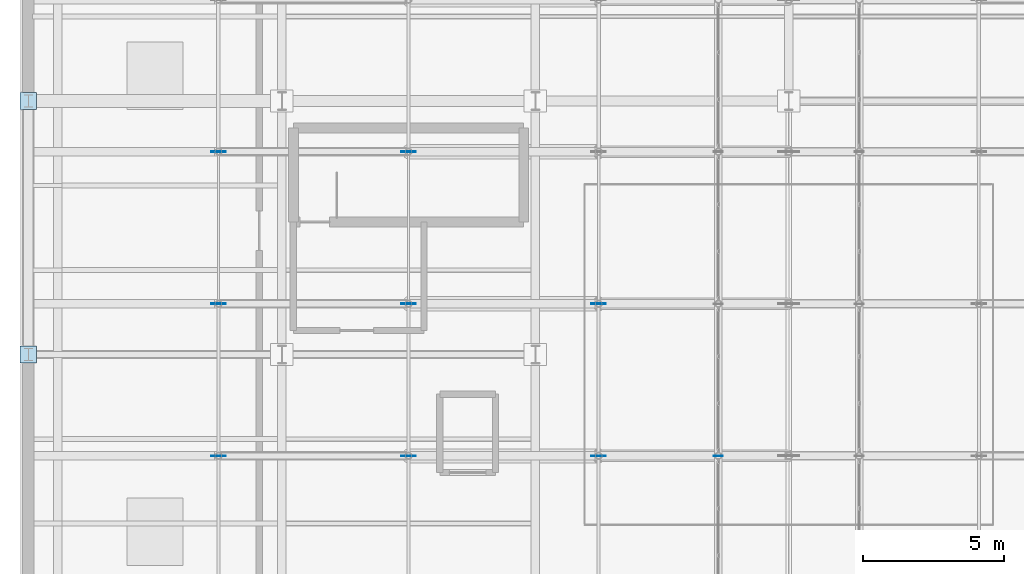
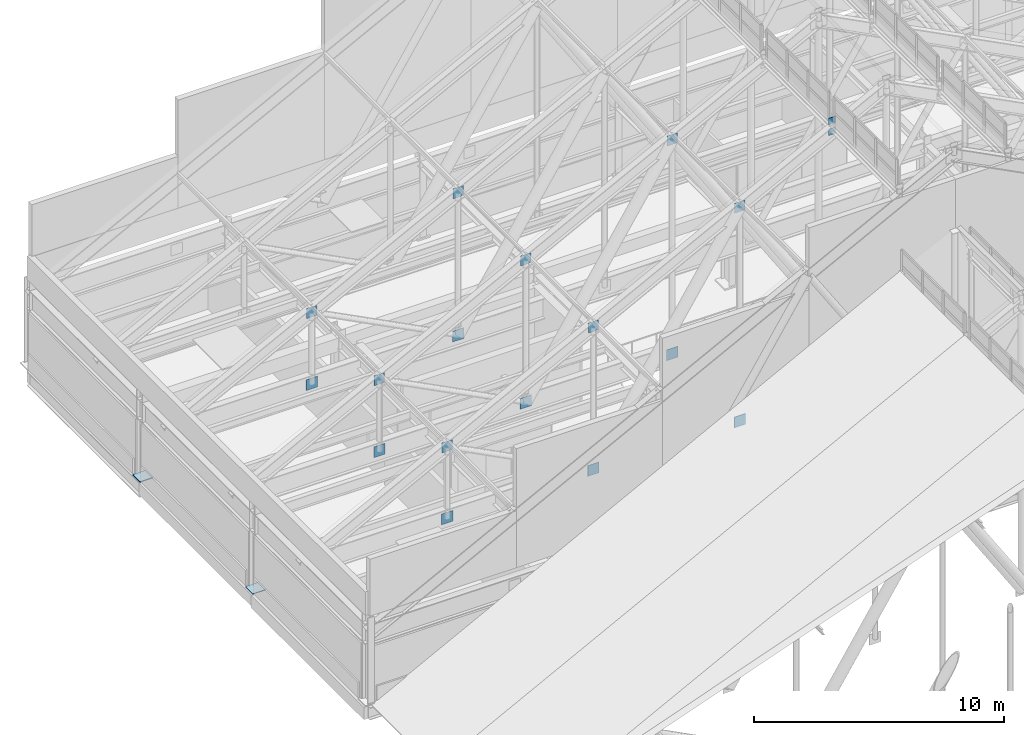
# One storey, part 77 of 84: 20 plates.
"""IFC4 building model written with IfcOpenShell, lengths in metres."""

import ifcopenshell
import ifcopenshell.guid

model = None  # the IFC model being written
_history = None  # IfcOwnerHistory: only IFC2X3 demands one
_inside = {}  # id of a spatial element -> (the spatial element, [elements in it])
_under = {}  # id of a project, library or spatial element -> (it, [spatial elements below it])
_declared = {}  # id of a project -> (the project, [libraries it declares])
_typed = {}  # id of a type object -> (the type object, [elements of that type])
_made_of = {}  # id of a material, layer set ... -> (it, [elements and type objects made of it])


def new_model(schema):
    """Start an empty IFC model of exactly this schema.

    Asked for "IFC4X3", IfcOpenShell would pick the latest addendum, in which some entities
    have other attributes; the version numbers below select the first issue.
    IFC2X3 requires an IfcOwnerHistory on every rooted entity: one is made here for all.
    """
    global model, _history
    if schema == "IFC4X3":
        model = ifcopenshell.file(schema_version=(4, 3, 0, 0))
    else:
        model = ifcopenshell.file(schema=schema)
    _inside.clear()
    _under.clear()
    _declared.clear()
    _typed.clear()
    _made_of.clear()
    _history = None
    if model.schema == "IFC2X3":
        org = make("IfcOrganization", Name="unknown")
        user = make(
            "IfcPersonAndOrganization",
            ThePerson=make("IfcPerson", FamilyName="unknown"),
            TheOrganization=org,
        )
        app = make(
            "IfcApplication",
            ApplicationDeveloper=org,
            Version="unknown",
            ApplicationFullName="unknown",
            ApplicationIdentifier="unknown",
        )
        _history = make(
            "IfcOwnerHistory",
            OwningUser=user,
            OwningApplication=app,
            ChangeAction="ADDED",
            CreationDate=0,
        )
    return model


def make(cls, **values):
    """One entity of the class cls with the attributes given. An attribute that is None is left unset."""
    return model.create_entity(
        cls, **{name: value for name, value in values.items() if value is not None}
    )


def rooted(cls, **values):
    """An entity with a GlobalId (a new one), such as an element, a storey or a relation."""
    return make(cls, GlobalId=ifcopenshell.guid.new(), OwnerHistory=_history, **values)


def si_unit(unit_type, name, prefix=None):
    """IfcSIUnit, for example si_unit("LENGTHUNIT", "METRE", prefix="MILLI")."""
    return make("IfcSIUnit", UnitType=unit_type, Prefix=prefix, Name=name)


def assignment(units):
    """IfcUnitAssignment: the units of a project."""
    return None if units is None else make("IfcUnitAssignment", Units=units)


def point(xyz):
    """IfcCartesianPoint."""
    return None if xyz is None else make("IfcCartesianPoint", Coordinates=xyz)


def direction(xyz):
    """IfcDirection."""
    return None if xyz is None else make("IfcDirection", DirectionRatios=xyz)


def frame(location, z_axis=None, x_axis=None):
    """IfcAxis2Placement3D, a coordinate frame: its origin and axes. An axis left out is left unset."""
    return make(
        "IfcAxis2Placement3D",
        Location=point(location),
        Axis=direction(z_axis),
        RefDirection=direction(x_axis),
    )


def frame_2d(location, x_axis=None):
    """IfcAxis2Placement2D, a coordinate frame in the plane: its origin and x axis."""
    return make(
        "IfcAxis2Placement2D", Location=point(location), RefDirection=direction(x_axis)
    )


def origin():
    """The frame at (0, 0, 0) with its axes left unset."""
    return frame((0.0, 0.0, 0.0))


def origin_2d():
    """The frame at (0, 0) in the plane with its x axis left unset."""
    return frame_2d((0.0, 0.0))


def place(relative_to, where):
    """IfcLocalPlacement: puts the frame where relative to a parent placement (None: the world)."""
    return make(
        "IfcLocalPlacement", PlacementRelTo=relative_to, RelativePlacement=where
    )


def context(
    kind, dimensions, precision=None, world=None, true_north=None, identifier=None
):
    """IfcGeometricRepresentationContext, for example the 3D "Model" context."""
    return make(
        "IfcGeometricRepresentationContext",
        ContextIdentifier=identifier,
        ContextType=kind,
        CoordinateSpaceDimension=dimensions,
        Precision=precision,
        WorldCoordinateSystem=world,
        TrueNorth=true_north,
    )


def subcontext(parent, identifier, kind, view, scale=None):
    """IfcGeometricRepresentationSubContext, for example "Body" below "Model"."""
    return make(
        "IfcGeometricRepresentationSubContext",
        ContextIdentifier=identifier,
        ContextType=kind,
        ParentContext=parent,
        TargetScale=scale,
        TargetView=view,
    )


def project(units=None, contexts=None):
    """IfcProject with its units and contexts."""
    return rooted(
        "IfcProject",
        Name="project",
        RepresentationContexts=contexts,
        UnitsInContext=assignment(units),
    )


def spatial(cls, under=None, at=None, **own):
    """A site, building, storey or space (cls), placed at a placement, below another one or the project."""
    s = rooted(cls, ObjectPlacement=at, **own)
    if under is not None:
        _under.setdefault(under.id(), (under, []))[1].append(s)
    return s


def profile(cls, at=None, kind="AREA", **sizes):
    """A parametric profile (cls). Its sizes go by their IFC names, for example OverallWidth=200.0."""
    return make(cls, ProfileType=kind, Position=at, **sizes)


def rectangle(**sizes):
    """IfcRectangleProfileDef."""
    return profile("IfcRectangleProfileDef", **sizes)


def extrude(swept, where, along, depth):
    """IfcExtrudedAreaSolid: the profile swept, set in the frame where, extruded along a direction by depth."""
    return make(
        "IfcExtrudedAreaSolid",
        SweptArea=swept,
        Position=where,
        ExtrudedDirection=direction(along),
        Depth=depth,
    )


def shape(context_of_items, identifier, shape_type, items):
    """IfcShapeRepresentation: the items that make up one representation, for example the "Body"."""
    return make(
        "IfcShapeRepresentation",
        ContextOfItems=context_of_items,
        RepresentationIdentifier=identifier,
        RepresentationType=shape_type,
        Items=items,
    )


def material(Name=None, Category=None):
    """IfcMaterial."""
    return make("IfcMaterial", Name=Name, Category=Category)


def layer(
    of_material, thickness, ventilated=None, Name=None, Category=None, Priority=None
):
    """IfcMaterialLayer: one layer of a wall or slab, of a material (None: an air gap)."""
    return make(
        "IfcMaterialLayer",
        Material=of_material,
        LayerThickness=thickness,
        IsVentilated=ventilated,
        Name=Name,
        Category=Category,
        Priority=Priority,
    )


def layer_set(layers, Name=None):
    """IfcMaterialLayerSet."""
    return make("IfcMaterialLayerSet", MaterialLayers=layers, LayerSetName=Name)


def made_of(thing, what):
    """Note that an element or type object is made of a material, layer set ...; save() writes the relation."""
    if what is not None:
        _made_of.setdefault(what.id(), (what, []))[1].append(thing)
    return thing


def type_object(cls, material=None, **own):
    """A type object (cls), such as IfcWallType, which elements share."""
    return made_of(rooted(cls, **own), material)


def element(
    cls,
    number,
    at=None,
    inside=None,
    cuts=None,
    type_object=None,
    material=None,
    context=None,
    identifier="Body",
    shape_type=None,
    held_by="IfcProductDefinitionShape",
    body=None,
    shapes=None,
    **own,
):
    """One element of the class cls, such as IfcWall. Its Tag is "e" and its number.

    at: its placement. inside: the storey or other place that contains it. cuts: it is an
    opening in that element (IfcRelVoidsElement). A single representation is given by context,
    identifier, shape_type and body (its items); several are given by shapes. held_by: the class
    of the entity that holds the representations. save() writes the other relations.
    """
    e = rooted(cls, Tag="e%d" % number, ObjectPlacement=at, **own)
    if body is not None:
        shapes = [shape(context, identifier, shape_type, body)]
    if shapes is not None:
        e.Representation = make(held_by, Representations=shapes)
    if inside is not None:
        _inside.setdefault(inside.id(), (inside, []))[1].append(e)
    if cuts is not None:
        rooted(
            "IfcRelVoidsElement", RelatingBuildingElement=cuts, RelatedOpeningElement=e
        )
    if type_object is not None:
        _typed.setdefault(type_object.id(), (type_object, []))[1].append(e)
    return made_of(e, material)


def aggregate(whole, parts):
    """IfcRelAggregates: a whole, such as a stair, and the parts it consists of."""
    return rooted("IfcRelAggregates", RelatingObject=whole, RelatedObjects=parts)


def save(model, path):
    """Write the relations noted so far, then the file.

    IfcRelAggregates (storeys below a building ...), IfcRelContainedInSpatialStructure (elements
    in a storey), IfcRelDefinesByType, IfcRelAssociatesMaterial and IfcRelDeclares: one each for
    every whole, place, type object, material and project.
    """
    for whole, parts in _under.values():
        aggregate(whole, parts)
    for where, things in _inside.values():
        rooted(
            "IfcRelContainedInSpatialStructure",
            RelatedElements=things,
            RelatingStructure=where,
        )
    for kind, things in _typed.values():
        rooted("IfcRelDefinesByType", RelatedObjects=things, RelatingType=kind)
    for what, things in _made_of.values():
        rooted("IfcRelAssociatesMaterial", RelatedObjects=things, RelatingMaterial=what)
    for by, libraries in _declared.values():
        rooted("IfcRelDeclares", RelatingContext=by, RelatedDefinitions=libraries)
    model.write(path)


model = new_model("IFC4")

# Units and contexts
model_context = context("Model", 3, precision=1e-05, world=origin(), true_north=direction((0.0, 1.0)))
body_context = subcontext(model_context, "Body", "Model", "MODEL_VIEW")
ifc_project = project(units=[si_unit("LENGTHUNIT", "METRE"), si_unit("AREAUNIT", "SQUARE_METRE"), si_unit("VOLUMEUNIT", "CUBIC_METRE"), si_unit("PLANEANGLEUNIT", "RADIAN"), si_unit("MASSUNIT", "GRAM", prefix="KILO")], contexts=[model_context])

# Site, building, storey
site_placement = place(None, origin())
site = spatial("IfcSite", under=ifc_project, at=site_placement, CompositionType="ELEMENT")
building_placement = place(site_placement, origin())
building = spatial("IfcBuilding", under=site, at=building_placement, Name="Sundgate Opera House", CompositionType="ELEMENT")
storey_placement = place(building_placement, frame((0.0, 0.0, 30.60009765625)))
storey = spatial("IfcBuildingStorey", under=building, at=storey_placement, Name="L06", CompositionType="ELEMENT", Elevation=30.60009765625)

# Plates
ifc_material_1 = material(Name="Steel S355J2", Category="steel")
ifc_layer_1 = layer(ifc_material_1, 0.035888671875)
ifc_layer_set_1 = layer_set([ifc_layer_1], Name="Steel S355J2")
plate_type_1 = type_object("IfcPlateType", Name="PT-BAS-36", PredefinedType="USERDEFINED", material=ifc_layer_set_1)
plate_1_placement = place(storey_placement, frame((27.0, 69.0, 0.0), z_axis=(0.0, 0.0, 1.0), x_axis=(1.0, 0.0, 0.0)))
element("IfcPlate", 1, at=plate_1_placement, inside=storey, type_object=plate_type_1, Name="L06 Base Plate PT0030", ObjectType="BASE PLATE", PredefinedType="USERDEFINED", context=body_context, shape_type="SweptSolid", body=[
    extrude(rectangle(XDim=0.590087890625, YDim=0.590087890625, at=origin_2d()), origin(), (0.0, 0.0, 1.0), 0.035888671875),
])
ifc_material_2 = material(Name="Steel S355J2", Category="steel")
ifc_layer_2 = layer(ifc_material_2, 0.0400390625)
ifc_layer_set_2 = layer_set([ifc_layer_2], Name="Steel S355J2")
plate_type_2 = type_object("IfcPlateType", Name="PT-BAS-40", PredefinedType="USERDEFINED", material=ifc_layer_set_2)
plate_2_placement = place(storey_placement, frame((27.0, 78.0, 0.0), z_axis=(0.0, 0.0, 1.0), x_axis=(1.0, 0.0, 0.0)))
element("IfcPlate", 2, at=plate_2_placement, inside=storey, type_object=plate_type_2, Name="L06 Base Plate PT0035", ObjectType="BASE PLATE", PredefinedType="USERDEFINED", context=body_context, shape_type="SweptSolid", body=[
    extrude(rectangle(XDim=0.590087890625, YDim=0.590087890625, at=origin_2d()), origin(), (0.0, 0.0, 1.0), 0.0400390625),
])
ifc_material_3 = material(Name="Steel S355J2", Category="steel")
ifc_layer_3 = layer(ifc_material_3, 0.02001953125)
ifc_layer_set_3 = layer_set([ifc_layer_3], Name="Steel S355J2")
plate_type_3 = type_object("IfcPlateType", Name="PT-GUS-20", PredefinedType="USERDEFINED", material=ifc_layer_set_3)
for number, where, z_axis, x_axis, name in (
    (3, (51.5, 65.39990234375, 15.751953125), (0.0, 0.0, 1.0), (1.0, 0.0, 0.0), "L06 Lantern Post Base Gusset"),
    (4, (51.5, 65.39990234375, 16.27978515625), (0.0, 0.0, 1.0), (1.0, 0.0, 0.0), "L06 Lantern Post Cap Gusset"),
):
    element("IfcPlate", number, at=place(storey_placement, frame(where, z_axis=z_axis, x_axis=x_axis)), inside=storey, type_object=plate_type_3, Name=name, ObjectType="GUSSET PLATE", PredefinedType="USERDEFINED", context=body_context, shape_type="SweptSolid", body=[
        extrude(rectangle(XDim=0.320068359375, YDim=0.02001953125, at=origin_2d()), origin(), (0.0, 0.0, 1.0), 0.320068359375),
    ])
ifc_material_4 = material(Name="Steel S355J2", Category="steel")
ifc_layer_4 = layer(ifc_material_4, 0.02490234375)
ifc_layer_set_4 = layer_set([ifc_layer_4], Name="Steel S355J2")
plate_type_4 = type_object("IfcPlateType", Name="PT-GUS-25", PredefinedType="USERDEFINED", material=ifc_layer_set_4)
plate_3_placement = place(storey_placement, frame((33.75, 65.39990234375, 6.52734375), z_axis=(0.0, 0.0, 1.0), x_axis=(1.0, 0.0, 0.0)))
element("IfcPlate", 5, at=plate_3_placement, inside=storey, type_object=plate_type_4, Name="L06 Truss Upper Node Gusset Plate", ObjectType="GUSSET PLATE", PredefinedType="USERDEFINED", context=body_context, shape_type="SweptSolid", body=[
    extrude(rectangle(XDim=0.47998046875, YDim=0.02490234375, at=origin_2d()), origin(), (0.0, 0.0, 1.0), 0.47998046875),
])
plate_4_placement = place(storey_placement, frame((40.5, 65.39990234375, 3.02978515625), z_axis=(0.0, 0.0, 1.0), x_axis=(1.0, 0.0, 0.0)))
element("IfcPlate", 6, at=plate_4_placement, inside=storey, type_object=plate_type_4, Name="L06 Truss Lower Node Gusset Plate", ObjectType="GUSSET PLATE", PredefinedType="USERDEFINED", context=body_context, shape_type="SweptSolid", body=[
    extrude(rectangle(XDim=0.52001953125, YDim=0.02490234375, at=origin_2d()), origin(), (0.0, 0.0, 1.0), 0.52001953125),
])
for number, where, z_axis, x_axis, name in (
    (7, (40.5, 65.39990234375, 10.0048828125), (0.0, 0.0, 1.0), (1.0, 0.0, 0.0), "L06 Truss Upper Node Gusset Plate"),
    (8, (47.25, 65.39990234375, 13.482421875), (0.0, 0.0, 1.0), (1.0, 0.0, 0.0), "L06 Truss Upper Node Gusset Plate"),
    (9, (33.75, 70.800048828125, 6.52734375), (0.0, 0.0, 1.0), (1.0, 0.0, 0.0), "L06 Truss Upper Node Gusset Plate"),
):
    element("IfcPlate", number, at=place(storey_placement, frame(where, z_axis=z_axis, x_axis=x_axis)), inside=storey, type_object=plate_type_4, Name=name, ObjectType="GUSSET PLATE", PredefinedType="USERDEFINED", context=body_context, shape_type="SweptSolid", body=[
        extrude(rectangle(XDim=0.47998046875, YDim=0.02490234375, at=origin_2d()), origin(), (0.0, 0.0, 1.0), 0.47998046875),
    ])
plate_5_placement = place(storey_placement, frame((40.5, 70.800048828125, 3.02978515625), z_axis=(0.0, 0.0, 1.0), x_axis=(1.0, 0.0, 0.0)))
element("IfcPlate", 10, at=plate_5_placement, inside=storey, type_object=plate_type_4, Name="L06 Truss Lower Node Gusset Plate", ObjectType="GUSSET PLATE", PredefinedType="USERDEFINED", context=body_context, shape_type="SweptSolid", body=[
    extrude(rectangle(XDim=0.52001953125, YDim=0.02490234375, at=origin_2d()), origin(), (0.0, 0.0, 1.0), 0.52001953125),
])
for number, where, z_axis, x_axis, name in (
    (11, (40.5, 70.800048828125, 10.0048828125), (0.0, 0.0, 1.0), (1.0, 0.0, 0.0), "L06 Truss Upper Node Gusset Plate"),
    (12, (47.25, 70.800048828125, 13.482421875), (0.0, 0.0, 1.0), (1.0, 0.0, 0.0), "L06 Truss Upper Node Gusset Plate"),
    (13, (33.75, 76.199951171875, 6.52734375), (0.0, 0.0, 1.0), (1.0, 0.0, 0.0), "L06 Truss Upper Node Gusset Plate"),
):
    element("IfcPlate", number, at=place(storey_placement, frame(where, z_axis=z_axis, x_axis=x_axis)), inside=storey, type_object=plate_type_4, Name=name, ObjectType="GUSSET PLATE", PredefinedType="USERDEFINED", context=body_context, shape_type="SweptSolid", body=[
        extrude(rectangle(XDim=0.47998046875, YDim=0.02490234375, at=origin_2d()), origin(), (0.0, 0.0, 1.0), 0.47998046875),
    ])
plate_6_placement = place(storey_placement, frame((40.5, 76.199951171875, 3.02978515625), z_axis=(0.0, 0.0, 1.0), x_axis=(1.0, 0.0, 0.0)))
element("IfcPlate", 14, at=plate_6_placement, inside=storey, type_object=plate_type_4, Name="L06 Truss Lower Node Gusset Plate", ObjectType="GUSSET PLATE", PredefinedType="USERDEFINED", context=body_context, shape_type="SweptSolid", body=[
    extrude(rectangle(XDim=0.52001953125, YDim=0.02490234375, at=origin_2d()), origin(), (0.0, 0.0, 1.0), 0.52001953125),
])
plate_7_placement = place(storey_placement, frame((40.5, 76.199951171875, 10.0048828125), z_axis=(0.0, 0.0, 1.0), x_axis=(1.0, 0.0, 0.0)))
element("IfcPlate", 15, at=plate_7_placement, inside=storey, type_object=plate_type_4, Name="L06 Truss Upper Node Gusset Plate", ObjectType="GUSSET PLATE", PredefinedType="USERDEFINED", context=body_context, shape_type="SweptSolid", body=[
    extrude(rectangle(XDim=0.47998046875, YDim=0.02490234375, at=origin_2d()), origin(), (0.0, 0.0, 1.0), 0.47998046875),
])
ifc_material_5 = material(Name="Steel S355J2", Category="steel")
ifc_layer_5 = layer(ifc_material_5, 0.028076171875)
ifc_layer_set_5 = layer_set([ifc_layer_5], Name="Steel S355J2")
plate_type_5 = type_object("IfcPlateType", Name="PT-GUS-28", PredefinedType="USERDEFINED", material=ifc_layer_set_5)
for number, where, z_axis, x_axis, name in (
    (16, (33.75, 65.39990234375, 3.02978515625), (0.0, 0.0, 1.0), (1.0, 0.0, 0.0), "L06 Truss Lower Node Gusset Plate"),
    (17, (47.25, 65.39990234375, 3.02978515625), (0.0, 0.0, 1.0), (1.0, 0.0, 0.0), "L06 Truss Lower Node Gusset Plate"),
    (18, (33.75, 70.800048828125, 3.02978515625), (0.0, 0.0, 1.0), (1.0, 0.0, 0.0), "L06 Truss Lower Node Gusset Plate"),
    (19, (47.25, 70.800048828125, 3.02978515625), (0.0, 0.0, 1.0), (1.0, 0.0, 0.0), "L06 Truss Lower Node Gusset Plate"),
    (20, (33.75, 76.199951171875, 3.02978515625), (0.0, 0.0, 1.0), (1.0, 0.0, 0.0), "L06 Truss Lower Node Gusset Plate"),
):
    element("IfcPlate", number, at=place(storey_placement, frame(where, z_axis=z_axis, x_axis=x_axis)), inside=storey, type_object=plate_type_5, Name=name, ObjectType="GUSSET PLATE", PredefinedType="USERDEFINED", context=body_context, shape_type="SweptSolid", body=[
        extrude(rectangle(XDim=0.52001953125, YDim=0.028076171875, at=origin_2d()), origin(), (0.0, 0.0, 1.0), 0.52001953125),
    ])

save(model, "model.ifc")
